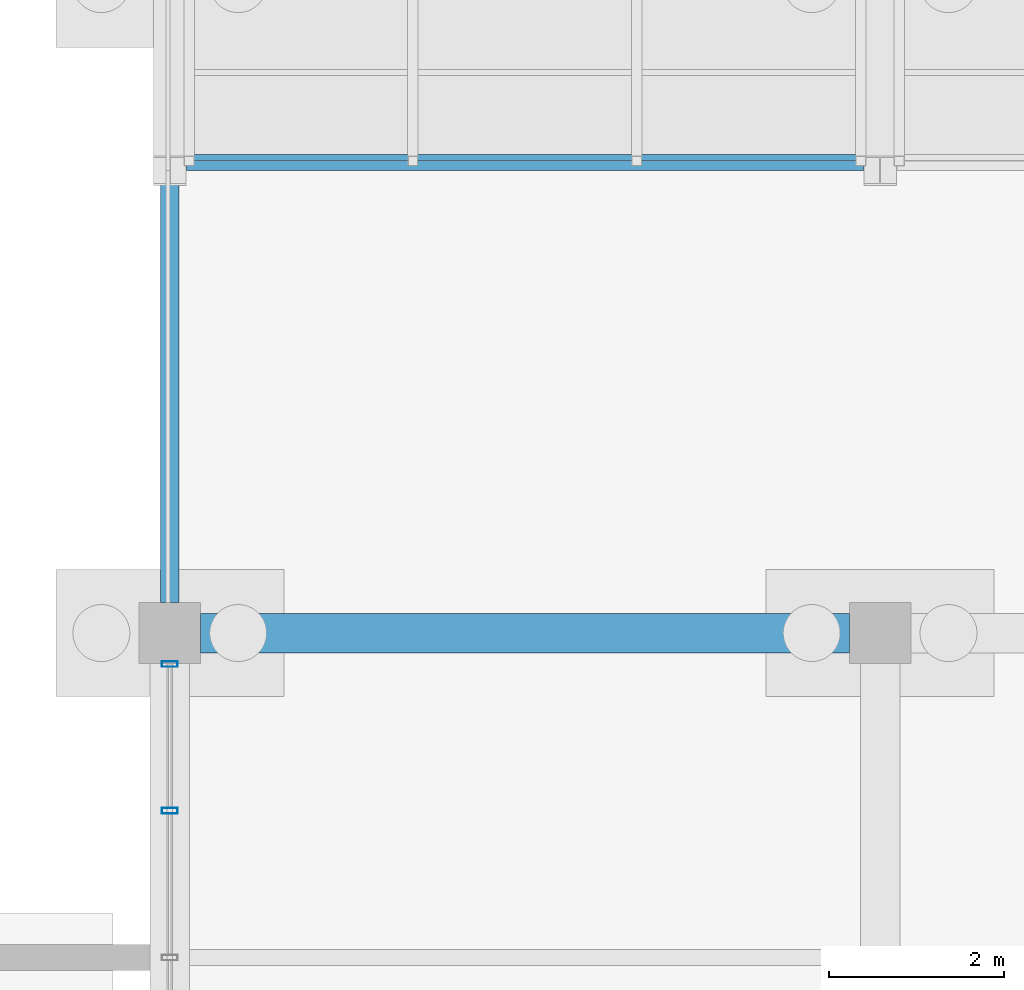
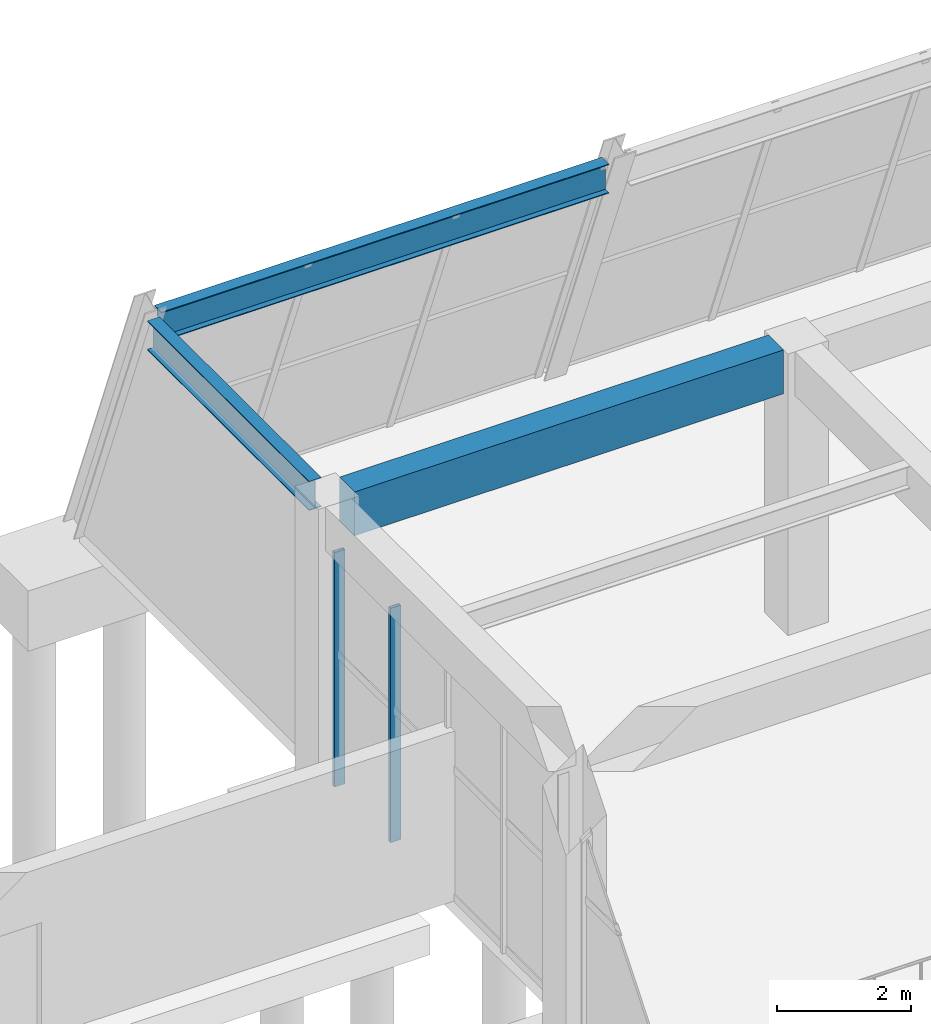
# One storey, part 107 of 140: 3 beams, 3 members, 2 elements without a shape of their own.
"""IFC4 building model written with IfcOpenShell, lengths in metres."""

from ifc_helpers import new_model, si_unit, direction, frame, origin, origin_2d, place, context, subcontext, project, spatial, rectangle, hollow_rectangle, i_section, extrude, material, material_profile, profile_set, type_object, element, aggregate, save


model = new_model("IFC4")

# Units and contexts
model_context = context("Model", 3, precision=1e-05, world=origin(), true_north=direction((0.0, 1.0)))
body_context = subcontext(model_context, "Body", "Model", "MODEL_VIEW")
ifc_project = project(units=[si_unit("LENGTHUNIT", "METRE"), si_unit("AREAUNIT", "SQUARE_METRE"), si_unit("VOLUMEUNIT", "CUBIC_METRE"), si_unit("PLANEANGLEUNIT", "RADIAN"), si_unit("MASSUNIT", "GRAM", prefix="KILO")], contexts=[model_context])

# Site, building, storey
site_placement = place(None, origin())
site = spatial("IfcSite", under=ifc_project, at=site_placement, CompositionType="ELEMENT")
building_placement = place(site_placement, origin())
building = spatial("IfcBuilding", under=site, at=building_placement, Name="Cimatlan Art Gallery", CompositionType="ELEMENT")
storey_placement = place(building_placement, origin())
storey = spatial("IfcBuildingStorey", under=building, at=storey_placement, Name="L00", CompositionType="ELEMENT", Elevation=0.0)

# Beams
ifc_material_1 = material(Name="Concrete C40/50", Category="concrete")
ifc_material_profile_1 = material_profile(ifc_material_1, rectangle(XDim=0.449951171875, YDim=0.800048828125, at=origin_2d()), Name="RC450X800")
ifc_profile_set_1 = profile_set([ifc_material_profile_1], Name="Concrete C40/50")
beam_type_1 = type_object("IfcBeamType", Name="BM-RC-450X800", PredefinedType="BEAM", material=ifc_profile_set_1)
beam_1_placement = place(storey_placement, frame((148.14990234375, 75.699951171875, 4.735107421875), z_axis=(1.0, 0.0, 0.0), x_axis=(0.0, 1.0, 0.0)))
element("IfcBeam", 1, at=beam_1_placement, inside=storey, type_object=beam_type_1, Name="BM-X-L00-18-10", PredefinedType="BEAM", context=body_context, shape_type="SweptSolid", body=[
    extrude(rectangle(XDim=0.449951171875, YDim=0.800048828125, at=origin_2d()), origin(), (0.0, 0.0, 1.0), 7.400146484375),
])
ifc_material_2 = material(Name="Steel ASTM A992 Grade 50", Category="steel")
ifc_material_profile_2 = material_profile(ifc_material_2, i_section(OverallWidth=0.2099609375, OverallDepth=0.532958984375, WebThickness=0.01025390625, FlangeThickness=0.015625, at=origin_2d()), Name="W21X62")
ifc_profile_set_2 = profile_set([ifc_material_profile_2], Name="Steel ASTM A992 Grade 50")
beam_type_2 = type_object("IfcBeamType", Name="BM-STL-W21X62", PredefinedType="BEAM", material=ifc_profile_set_2)
beam_2_placement = place(storey_placement, frame((147.989990234375, 81.077392578125, 4.868408203125), z_axis=(1.0, 0.0, 0.0), x_axis=(0.0, 1.0, 0.0)))
element("IfcBeam", 2, at=beam_2_placement, inside=storey, type_object=beam_type_2, Name="BM-PRW-X-L00-B5-18", PredefinedType="BEAM", context=body_context, shape_type="SweptSolid", body=[
    extrude(i_section(OverallWidth=0.2099609375, OverallDepth=0.532958984375, WebThickness=0.01025390625, FlangeThickness=0.015625, at=origin_2d()), origin(), (0.0, 0.0, 1.0), 7.719970703125),
])
beam_3_placement = place(storey_placement, frame((147.800048828125, 76.050048828125, 4.868408203125), z_axis=(0.0, 1.0, 0.0), x_axis=(-1.0, 0.0, 0.0)))
element("IfcBeam", 3, at=beam_3_placement, inside=storey, type_object=beam_type_2, Name="BM-PRW-Y-L00-B5-18", PredefinedType="BEAM", context=body_context, shape_type="SweptSolid", body=[
    extrude(i_section(OverallWidth=0.2099609375, OverallDepth=0.532958984375, WebThickness=0.01025390625, FlangeThickness=0.015625, at=origin_2d()), origin(), (0.0, 0.0, 1.0), 4.837158203125),
])

# Curtain wall, members
ifc_material_3 = material(Name="Anodised bronze unitised curtain wall")
curtain_wall_type_1 = type_object("IfcCurtainWallType", Name="CW-V-06692X04275-B4", PredefinedType="NOTDEFINED", material=ifc_material_3)
curtain_wall_1_placement = place(storey_placement, origin())
curtain_wall_1 = element("IfcCurtainWall", 4, at=curtain_wall_1_placement, inside=storey, type_object=curtain_wall_type_1, Name="CW-L00-18-09-W", PredefinedType="NOTDEFINED")
ifc_material_4 = material(Name="Anodised bronze aluminium 6063-T6", Category="aluminium")
ifc_material_profile_3 = material_profile(ifc_material_4, hollow_rectangle(XDim=0.06494140625, YDim=0.179931640625, WallThickness=0.00390625, at=origin_2d()), Name="ALU65X180X4")
ifc_profile_set_3 = profile_set([ifc_material_profile_3], Name="Anodised bronze aluminium 6063-T6")
member_type_1 = type_object("IfcMemberType", Name="CW-MUL-180", PredefinedType="MULLION", material=ifc_profile_set_3)
member_1_placement = place(storey_placement, frame((147.800048828125, 73.673095703125, 0.0), z_axis=(0.0, 0.0, 1.0), x_axis=(0.0, 1.0, 0.0)))
member_1 = element("IfcMember", 5, at=member_1_placement, type_object=member_type_1, Name="CW-L00-18-09-W-M4", PredefinedType="MULLION", context=body_context, shape_type="SweptSolid", body=[
    extrude(hollow_rectangle(XDim=0.06494140625, YDim=0.179931640625, WallThickness=0.00390625, at=origin_2d()), origin(), (0.0, 0.0, 1.0), 4.27490234375),
])
member_2_placement = place(storey_placement, frame((147.800048828125, 75.345947265625, 0.0), z_axis=(0.0, 0.0, 1.0), x_axis=(0.0, 1.0, 0.0)))
member_2 = element("IfcMember", 6, at=member_2_placement, type_object=member_type_1, Name="CW-L00-18-09-W-M5", PredefinedType="MULLION", context=body_context, shape_type="SweptSolid", body=[
    extrude(hollow_rectangle(XDim=0.06494140625, YDim=0.179931640625, WallThickness=0.00390625, at=origin_2d()), origin(), (0.0, 0.0, 1.0), 4.27490234375),
])
aggregate(curtain_wall_1, [member_1, member_2])

# Curtain wall, member
ifc_material_5 = material(Name="Raked steel-and-bronze lancet curtain wall", Category="steel")
curtain_wall_type_2 = type_object("IfcCurtainWallType", Name="CW-RAK-07660X05503-B3", PredefinedType="NOTDEFINED", material=ifc_material_5)
curtain_wall_2_placement = place(storey_placement, origin())
curtain_wall_2 = element("IfcCurtainWall", 7, at=curtain_wall_2_placement, inside=storey, type_object=curtain_wall_type_2, Name="CW-PROW-L00-B5-18", PredefinedType="NOTDEFINED")
ifc_material_profile_4 = material_profile(ifc_material_4, hollow_rectangle(XDim=0.06494140625, YDim=0.139892578125, WallThickness=0.00390625, at=origin_2d()), Name="ALU65X140X4")
ifc_profile_set_4 = profile_set([ifc_material_profile_4], Name="Anodised bronze aluminium 6063-T6")
member_type_2 = type_object("IfcMemberType", Name="CW-TRN-140", PredefinedType="USERDEFINED", material=ifc_profile_set_4)
member_3_placement = place(storey_placement, frame((148.02001953125, 81.12353515625, 5.017578125), z_axis=(1.0, 0.0, 0.0), x_axis=(0.0, 1.0, 0.0)))
member_3 = element("IfcMember", 8, at=member_3_placement, type_object=member_type_2, Name="CW-PROW-L00-B5-18-T3", ObjectType="TRANSOM", PredefinedType="USERDEFINED", context=body_context, shape_type="SweptSolid", body=[
    extrude(hollow_rectangle(XDim=0.06494140625, YDim=0.139892578125, WallThickness=0.00390625, at=origin_2d()), origin(), (0.0, 0.0, 1.0), 7.659912109375),
])
aggregate(curtain_wall_2, [member_3])

save(model, "model.ifc")
